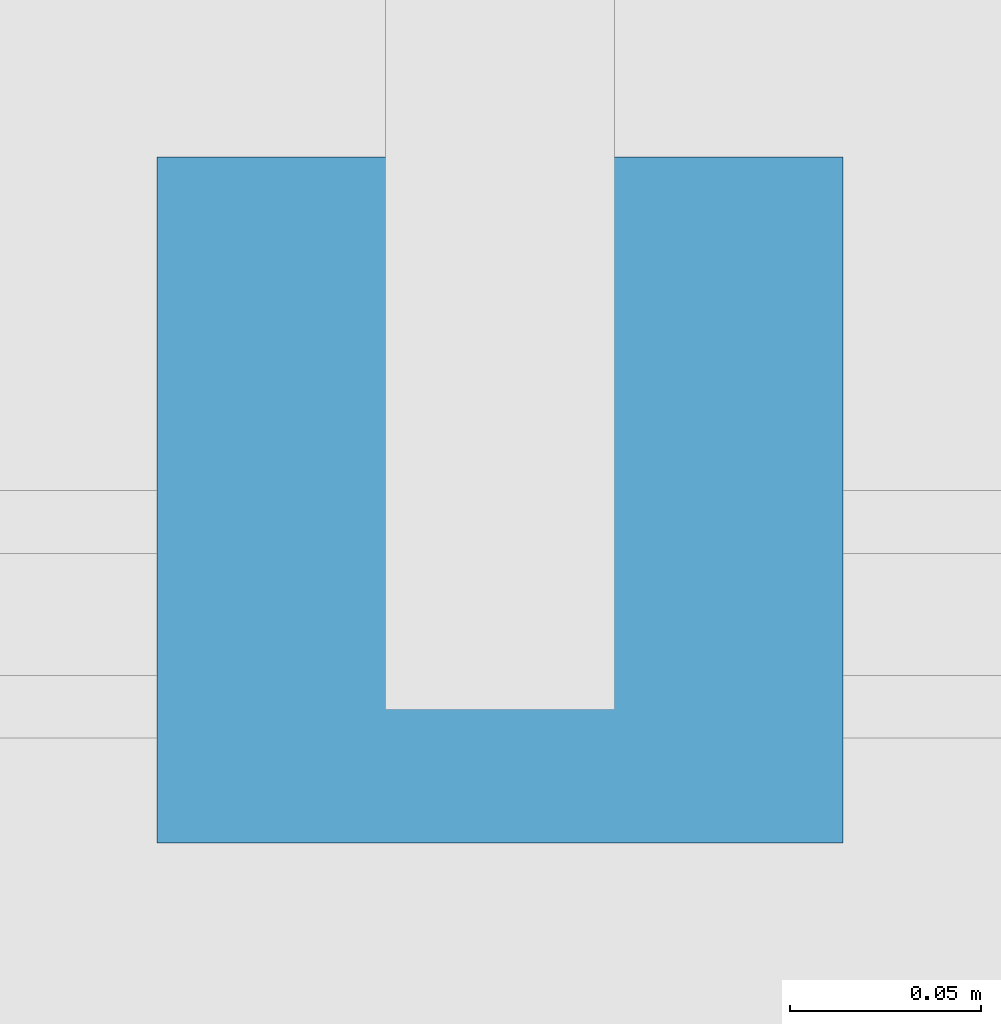
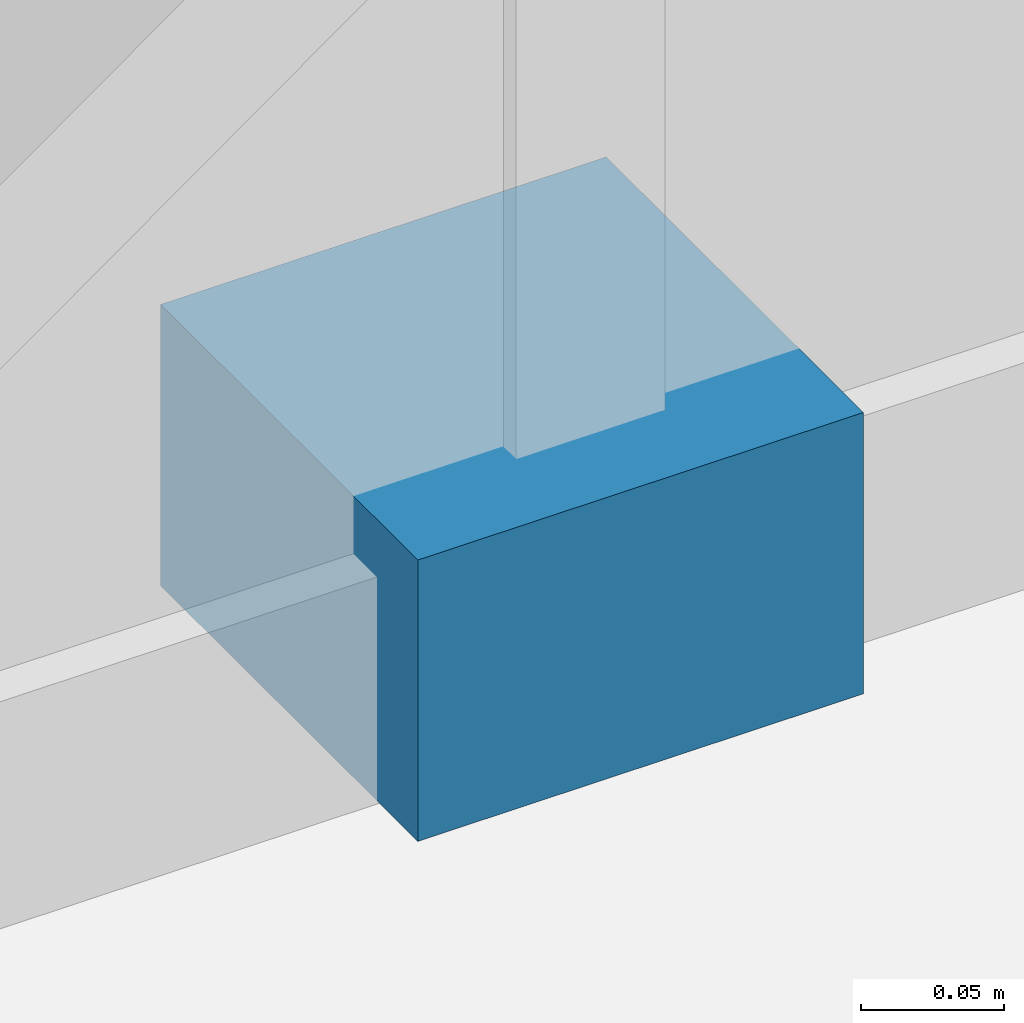
# One storey, part 59 of 72: 1 discrete accessory.
"""IFC4 building model written with IfcOpenShell, lengths in metres."""

from ifc_helpers import new_model, si_unit, direction, frame, origin, origin_2d, place, context, subcontext, project, spatial, rectangle, extrude, material, type_object, element, save


model = new_model("IFC4")

# Units and contexts
model_context = context("Model", 3, precision=1e-05, world=origin(), true_north=direction((0.0, 1.0)))
body_context = subcontext(model_context, "Body", "Model", "MODEL_VIEW")
ifc_project = project(units=[si_unit("LENGTHUNIT", "METRE"), si_unit("AREAUNIT", "SQUARE_METRE"), si_unit("VOLUMEUNIT", "CUBIC_METRE"), si_unit("PLANEANGLEUNIT", "RADIAN"), si_unit("MASSUNIT", "GRAM", prefix="KILO")], contexts=[model_context])

# Site, building, storey
site_placement = place(None, origin())
site = spatial("IfcSite", under=ifc_project, at=site_placement, CompositionType="ELEMENT")
building_placement = place(site_placement, origin())
building = spatial("IfcBuilding", under=site, at=building_placement, Name="Vourika Railside Aquatics Centre", CompositionType="ELEMENT")
storey_placement = place(building_placement, origin())
storey = spatial("IfcBuildingStorey", under=building, at=storey_placement, Name="L00", CompositionType="ELEMENT", Elevation=0.0)

# Discrete accessory
ifc_material = material(Name="Duplex stainless steel EN 1.4462", Category="steel")
discrete_accessory_type = type_object("IfcDiscreteAccessoryType", Name="ACC-BRK-180", PredefinedType="BRACKET", material=ifc_material)
discrete_accessory_placement = place(storey_placement, frame((132.14990234375, 116.030029296875, 0.0), z_axis=(0.0, 0.0, 1.0), x_axis=(0.0, 1.0, 0.0)))
element("IfcDiscreteAccessory", 1, at=discrete_accessory_placement, inside=storey, type_object=discrete_accessory_type, Name="Stainless Fin Shoe Bracket BK-065", PredefinedType="BRACKET", context=body_context, shape_type="SweptSolid", body=[
    extrude(rectangle(XDim=0.179931640625, YDim=0.179931640625, at=origin_2d()), origin(), (0.0, 0.0, 1.0), 0.1201171875),
])

save(model, "model.ifc")
